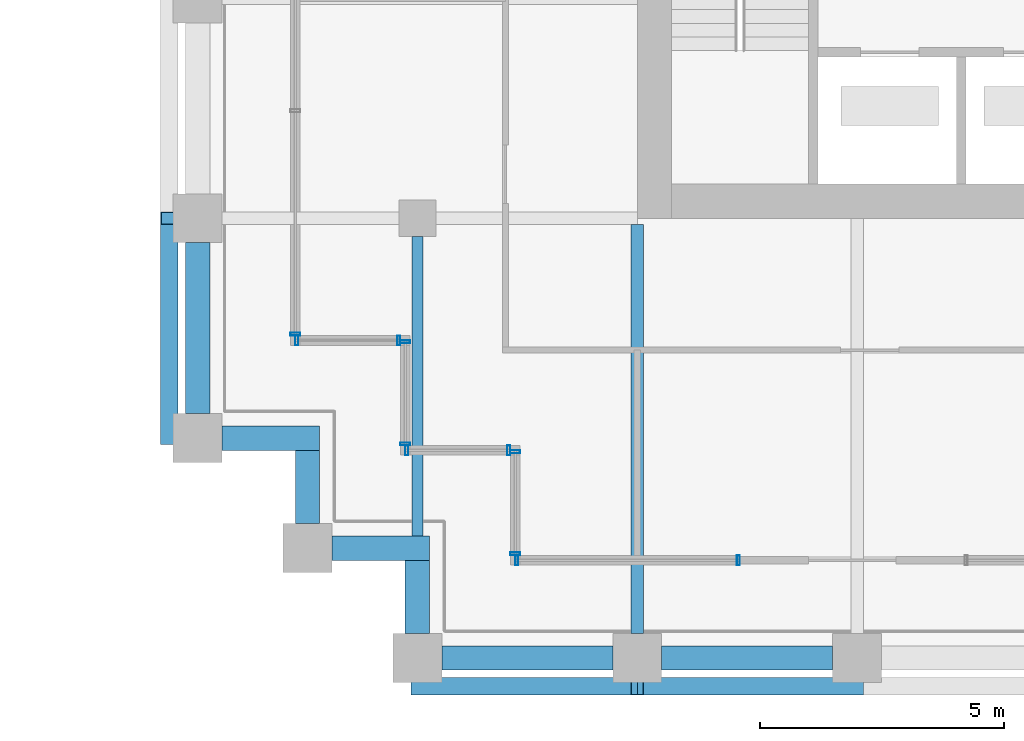
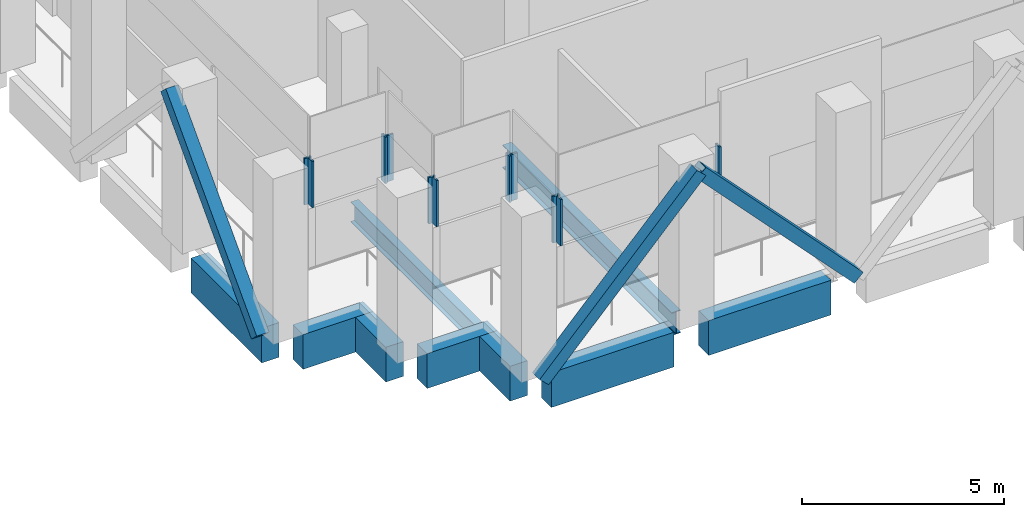
# One storey, part 21 of 48: 14 members, 9 beams, 6 elements without a shape of their own.
"""IFC4 building model written with IfcOpenShell, lengths in metres."""

import ifcopenshell
import ifcopenshell.guid

model = None  # the IFC model being written
_history = None  # IfcOwnerHistory: only IFC2X3 demands one
_inside = {}  # id of a spatial element -> (the spatial element, [elements in it])
_under = {}  # id of a project, library or spatial element -> (it, [spatial elements below it])
_declared = {}  # id of a project -> (the project, [libraries it declares])
_typed = {}  # id of a type object -> (the type object, [elements of that type])
_made_of = {}  # id of a material, layer set ... -> (it, [elements and type objects made of it])


def new_model(schema):
    """Start an empty IFC model of exactly this schema.

    Asked for "IFC4X3", IfcOpenShell would pick the latest addendum, in which some entities
    have other attributes; the version numbers below select the first issue.
    IFC2X3 requires an IfcOwnerHistory on every rooted entity: one is made here for all.
    """
    global model, _history
    if schema == "IFC4X3":
        model = ifcopenshell.file(schema_version=(4, 3, 0, 0))
    else:
        model = ifcopenshell.file(schema=schema)
    _inside.clear()
    _under.clear()
    _declared.clear()
    _typed.clear()
    _made_of.clear()
    _history = None
    if model.schema == "IFC2X3":
        org = make("IfcOrganization", Name="unknown")
        user = make(
            "IfcPersonAndOrganization",
            ThePerson=make("IfcPerson", FamilyName="unknown"),
            TheOrganization=org,
        )
        app = make(
            "IfcApplication",
            ApplicationDeveloper=org,
            Version="unknown",
            ApplicationFullName="unknown",
            ApplicationIdentifier="unknown",
        )
        _history = make(
            "IfcOwnerHistory",
            OwningUser=user,
            OwningApplication=app,
            ChangeAction="ADDED",
            CreationDate=0,
        )
    return model


def make(cls, **values):
    """One entity of the class cls with the attributes given. An attribute that is None is left unset."""
    return model.create_entity(
        cls, **{name: value for name, value in values.items() if value is not None}
    )


def rooted(cls, **values):
    """An entity with a GlobalId (a new one), such as an element, a storey or a relation."""
    return make(cls, GlobalId=ifcopenshell.guid.new(), OwnerHistory=_history, **values)


def si_unit(unit_type, name, prefix=None):
    """IfcSIUnit, for example si_unit("LENGTHUNIT", "METRE", prefix="MILLI")."""
    return make("IfcSIUnit", UnitType=unit_type, Prefix=prefix, Name=name)


def assignment(units):
    """IfcUnitAssignment: the units of a project."""
    return None if units is None else make("IfcUnitAssignment", Units=units)


def point(xyz):
    """IfcCartesianPoint."""
    return None if xyz is None else make("IfcCartesianPoint", Coordinates=xyz)


def direction(xyz):
    """IfcDirection."""
    return None if xyz is None else make("IfcDirection", DirectionRatios=xyz)


def frame(location, z_axis=None, x_axis=None):
    """IfcAxis2Placement3D, a coordinate frame: its origin and axes. An axis left out is left unset."""
    return make(
        "IfcAxis2Placement3D",
        Location=point(location),
        Axis=direction(z_axis),
        RefDirection=direction(x_axis),
    )


def frame_2d(location, x_axis=None):
    """IfcAxis2Placement2D, a coordinate frame in the plane: its origin and x axis."""
    return make(
        "IfcAxis2Placement2D", Location=point(location), RefDirection=direction(x_axis)
    )


def origin():
    """The frame at (0, 0, 0) with its axes left unset."""
    return frame((0.0, 0.0, 0.0))


def origin_2d():
    """The frame at (0, 0) in the plane with its x axis left unset."""
    return frame_2d((0.0, 0.0))


def place(relative_to, where):
    """IfcLocalPlacement: puts the frame where relative to a parent placement (None: the world)."""
    return make(
        "IfcLocalPlacement", PlacementRelTo=relative_to, RelativePlacement=where
    )


def context(
    kind, dimensions, precision=None, world=None, true_north=None, identifier=None
):
    """IfcGeometricRepresentationContext, for example the 3D "Model" context."""
    return make(
        "IfcGeometricRepresentationContext",
        ContextIdentifier=identifier,
        ContextType=kind,
        CoordinateSpaceDimension=dimensions,
        Precision=precision,
        WorldCoordinateSystem=world,
        TrueNorth=true_north,
    )


def subcontext(parent, identifier, kind, view, scale=None):
    """IfcGeometricRepresentationSubContext, for example "Body" below "Model"."""
    return make(
        "IfcGeometricRepresentationSubContext",
        ContextIdentifier=identifier,
        ContextType=kind,
        ParentContext=parent,
        TargetScale=scale,
        TargetView=view,
    )


def project(units=None, contexts=None):
    """IfcProject with its units and contexts."""
    return rooted(
        "IfcProject",
        Name="project",
        RepresentationContexts=contexts,
        UnitsInContext=assignment(units),
    )


def spatial(cls, under=None, at=None, **own):
    """A site, building, storey or space (cls), placed at a placement, below another one or the project."""
    s = rooted(cls, ObjectPlacement=at, **own)
    if under is not None:
        _under.setdefault(under.id(), (under, []))[1].append(s)
    return s


def profile(cls, at=None, kind="AREA", **sizes):
    """A parametric profile (cls). Its sizes go by their IFC names, for example OverallWidth=200.0."""
    return make(cls, ProfileType=kind, Position=at, **sizes)


def rectangle(**sizes):
    """IfcRectangleProfileDef."""
    return profile("IfcRectangleProfileDef", **sizes)


def hollow_rectangle(**sizes):
    """IfcRectangleHollowProfileDef."""
    return profile("IfcRectangleHollowProfileDef", **sizes)


def i_section(**sizes):
    """IfcIShapeProfileDef."""
    return profile("IfcIShapeProfileDef", **sizes)


def extrude(swept, where, along, depth):
    """IfcExtrudedAreaSolid: the profile swept, set in the frame where, extruded along a direction by depth."""
    return make(
        "IfcExtrudedAreaSolid",
        SweptArea=swept,
        Position=where,
        ExtrudedDirection=direction(along),
        Depth=depth,
    )


def shape(context_of_items, identifier, shape_type, items):
    """IfcShapeRepresentation: the items that make up one representation, for example the "Body"."""
    return make(
        "IfcShapeRepresentation",
        ContextOfItems=context_of_items,
        RepresentationIdentifier=identifier,
        RepresentationType=shape_type,
        Items=items,
    )


def material(Name=None, Category=None):
    """IfcMaterial."""
    return make("IfcMaterial", Name=Name, Category=Category)


def material_profile(
    of_material, cross_section, Name=None, Category=None, Priority=None
):
    """IfcMaterialProfile: a cross section and its material."""
    return make(
        "IfcMaterialProfile",
        Name=Name,
        Material=of_material,
        Profile=cross_section,
        Priority=Priority,
        Category=Category,
    )


def profile_set(profiles, Name=None, composite=None):
    """IfcMaterialProfileSet."""
    return make(
        "IfcMaterialProfileSet",
        Name=Name,
        MaterialProfiles=profiles,
        CompositeProfile=composite,
    )


def made_of(thing, what):
    """Note that an element or type object is made of a material, layer set ...; save() writes the relation."""
    if what is not None:
        _made_of.setdefault(what.id(), (what, []))[1].append(thing)
    return thing


def type_object(cls, material=None, **own):
    """A type object (cls), such as IfcWallType, which elements share."""
    return made_of(rooted(cls, **own), material)


def element(
    cls,
    number,
    at=None,
    inside=None,
    cuts=None,
    type_object=None,
    material=None,
    context=None,
    identifier="Body",
    shape_type=None,
    held_by="IfcProductDefinitionShape",
    body=None,
    shapes=None,
    **own,
):
    """One element of the class cls, such as IfcWall. Its Tag is "e" and its number.

    at: its placement. inside: the storey or other place that contains it. cuts: it is an
    opening in that element (IfcRelVoidsElement). A single representation is given by context,
    identifier, shape_type and body (its items); several are given by shapes. held_by: the class
    of the entity that holds the representations. save() writes the other relations.
    """
    e = rooted(cls, Tag="e%d" % number, ObjectPlacement=at, **own)
    if body is not None:
        shapes = [shape(context, identifier, shape_type, body)]
    if shapes is not None:
        e.Representation = make(held_by, Representations=shapes)
    if inside is not None:
        _inside.setdefault(inside.id(), (inside, []))[1].append(e)
    if cuts is not None:
        rooted(
            "IfcRelVoidsElement", RelatingBuildingElement=cuts, RelatedOpeningElement=e
        )
    if type_object is not None:
        _typed.setdefault(type_object.id(), (type_object, []))[1].append(e)
    return made_of(e, material)


def aggregate(whole, parts):
    """IfcRelAggregates: a whole, such as a stair, and the parts it consists of."""
    return rooted("IfcRelAggregates", RelatingObject=whole, RelatedObjects=parts)


def save(model, path):
    """Write the relations noted so far, then the file.

    IfcRelAggregates (storeys below a building ...), IfcRelContainedInSpatialStructure (elements
    in a storey), IfcRelDefinesByType, IfcRelAssociatesMaterial and IfcRelDeclares: one each for
    every whole, place, type object, material and project.
    """
    for whole, parts in _under.values():
        aggregate(whole, parts)
    for where, things in _inside.values():
        rooted(
            "IfcRelContainedInSpatialStructure",
            RelatedElements=things,
            RelatingStructure=where,
        )
    for kind, things in _typed.values():
        rooted("IfcRelDefinesByType", RelatedObjects=things, RelatingType=kind)
    for what, things in _made_of.values():
        rooted("IfcRelAssociatesMaterial", RelatedObjects=things, RelatingMaterial=what)
    for by, libraries in _declared.values():
        rooted("IfcRelDeclares", RelatingContext=by, RelatedDefinitions=libraries)
    model.write(path)


model = new_model("IFC4")

# Units and contexts
model_context = context("Model", 3, precision=1e-05, world=origin(), true_north=direction((0.0, 1.0)))
body_context = subcontext(model_context, "Body", "Model", "MODEL_VIEW")
ifc_project = project(units=[si_unit("LENGTHUNIT", "METRE"), si_unit("AREAUNIT", "SQUARE_METRE"), si_unit("VOLUMEUNIT", "CUBIC_METRE"), si_unit("PLANEANGLEUNIT", "RADIAN"), si_unit("MASSUNIT", "GRAM", prefix="KILO")], contexts=[model_context])

# Site, building, storey
site_placement = place(None, origin())
site = spatial("IfcSite", under=ifc_project, at=site_placement, CompositionType="ELEMENT")
building_placement = place(site_placement, origin())
building = spatial("IfcBuilding", under=site, at=building_placement, Name="Altepetl Exchange Towers", CompositionType="ELEMENT")
storey_placement = place(building_placement, frame((0.0, 0.0, 138.800048828125)))
storey = spatial("IfcBuildingStorey", under=building, at=storey_placement, Name="L34 Refuge and sky lobby", CompositionType="ELEMENT", Elevation=138.800048828125)

# Members
ifc_material_1 = material(Name="Steel S355", Category="steel")
ifc_material_profile_1 = material_profile(ifc_material_1, hollow_rectangle(XDim=0.35595703125, YDim=0.35595703125, WallThickness=0.014892578125, at=origin_2d()), Name="HSS356X356X15.9")
ifc_profile_set_1 = profile_set([ifc_material_profile_1], Name="Steel S355")
member_type_1 = type_object("IfcMemberType", Name="Belt diagonal HSS356X356X15.9", PredefinedType="BRACE", material=ifc_profile_set_1)
for number, where, z_axis, x_axis, name in (
    (1, (99.0, 26.419921875, 0.0), (0.687744647911, 0.0, 0.725952683906), (0.0, 1.0, 0.0), "brc:B:L34:000"),
    (2, (103.5, 26.419921875, 4.75), (0.687744647911, 0.0, -0.725952683906), (0.0, 1.0, 0.0), "brc:B:L34:001"),
    (3, (93.919921875, 36.0, 4.75), (0.0, -0.687744647911, -0.725952683906), (1.0, 0.0, 0.0), "brc:B:L34:013"),
):
    element("IfcMember", number, at=place(storey_placement, frame(where, z_axis=z_axis, x_axis=x_axis)), inside=storey, type_object=member_type_1, Name=name, PredefinedType="BRACE", context=body_context, shape_type="SweptSolid", body=[
        extrude(hollow_rectangle(XDim=0.35595703125, YDim=0.35595703125, WallThickness=0.014892578125, at=origin_2d()), origin(), (0.0, 0.0, 1.0), 6.543212890625),
    ])

# Beams
ifc_material_profile_2 = material_profile(ifc_material_1, i_section(OverallWidth=0.22802734375, OverallDepth=0.60791015625, WebThickness=0.01123046875, FlangeThickness=0.017333984375, at=origin_2d()), Name="W24X76")
ifc_profile_set_2 = profile_set([ifc_material_profile_2], Name="Steel S355")
beam_type_1 = type_object("IfcBeamType", Name="Floor beam W24X76", PredefinedType="BEAM", material=ifc_profile_set_2)
beam_1_placement = place(storey_placement, frame((99.0, 29.5, -0.504150390625), z_axis=(0.0, 1.0, 0.0), x_axis=(-1.0, 0.0, 0.0)))
element("IfcBeam", 4, at=beam_1_placement, inside=storey, type_object=beam_type_1, Name="bm:B:L34:004", PredefinedType="BEAM", context=body_context, shape_type="SweptSolid", body=[
    extrude(i_section(OverallWidth=0.22802734375, OverallDepth=0.60791015625, WebThickness=0.01123046875, FlangeThickness=0.017333984375, at=origin_2d()), origin(), (0.0, 0.0, 1.0), 6.125),
])
ifc_material_profile_3 = material_profile(ifc_material_1, i_section(OverallWidth=0.25390625, OverallDepth=0.68798828125, WebThickness=0.01318359375, FlangeThickness=0.02099609375, at=origin_2d()), Name="W27X102")
ifc_profile_set_3 = profile_set([ifc_material_profile_3], Name="Steel S355")
beam_type_2 = type_object("IfcBeamType", Name="Floor beam W27X102", PredefinedType="BEAM", material=ifc_profile_set_3)
beam_2_placement = place(storey_placement, frame((103.5, 27.5, -0.5439453125), z_axis=(0.0, 1.0, 0.0), x_axis=(-1.0, 0.0, 0.0)))
element("IfcBeam", 5, at=beam_2_placement, inside=storey, type_object=beam_type_2, Name="bm:B:L34:005", PredefinedType="BEAM", context=body_context, shape_type="SweptSolid", body=[
    extrude(i_section(OverallWidth=0.25390625, OverallDepth=0.68798828125, WebThickness=0.01318359375, FlangeThickness=0.02099609375, at=origin_2d()), origin(), (0.0, 0.0, 1.0), 8.3720703125),
])

# Curtain wall, member
ifc_material_2 = material(Name="Aluminium 6063-T6 glazing", Category="aluminium")
curtain_wall_type = type_object("IfcCurtainWallType", Name="Refuge slit glazing system", PredefinedType="NOTDEFINED", material=ifc_material_2)
curtain_wall_1_placement = place(storey_placement, origin())
curtain_wall_1 = element("IfcCurtainWall", 6, at=curtain_wall_1_placement, inside=storey, type_object=curtain_wall_type, Name="CW3 run", PredefinedType="NOTDEFINED")
ifc_material_3 = material(Name="Aluminium 6063-T6", Category="aluminium")
ifc_material_profile_4 = material_profile(ifc_material_3, hollow_rectangle(XDim=0.06005859375, YDim=0.199951171875, WallThickness=0.0029296875, at=origin_2d()), Name="Mullion 60x200 aluminium")
ifc_profile_set_4 = profile_set([ifc_material_profile_4], Name="Aluminium 6063-T6")
member_type_2 = type_object("IfcMemberType", Name="Mullion 60x200 aluminium", PredefinedType="MULLION", material=ifc_profile_set_4)
member_1_placement = place(storey_placement, frame((96.5, 33.6298828125, 1.800048828125), z_axis=(0.0, 0.0, 1.0), x_axis=(0.0, -1.0, 0.0)))
member_1 = element("IfcMember", 7, at=member_1_placement, type_object=member_type_2, Name="MU2 mullion", PredefinedType="MULLION", context=body_context, shape_type="SweptSolid", body=[
    extrude(hollow_rectangle(XDim=0.06005859375, YDim=0.199951171875, WallThickness=0.0029296875, at=origin_2d()), origin(), (0.0, 0.0, 1.0), 1.39990234375),
])
aggregate(curtain_wall_1, [member_1])

# Curtain wall, members
curtain_wall_2_placement = place(storey_placement, origin())
curtain_wall_2 = element("IfcCurtainWall", 8, at=curtain_wall_2_placement, inside=storey, type_object=curtain_wall_type, Name="CW3 run", PredefinedType="NOTDEFINED")
member_2_placement = place(storey_placement, frame((96.530029296875, 33.5, 1.800048828125)))
member_2 = element("IfcMember", 9, at=member_2_placement, type_object=member_type_2, Name="MU2 mullion", PredefinedType="MULLION", context=body_context, shape_type="SweptSolid", body=[
    extrude(hollow_rectangle(XDim=0.06005859375, YDim=0.199951171875, WallThickness=0.0029296875, at=origin_2d()), origin(), (0.0, 0.0, 1.0), 1.39990234375),
])
member_3_placement = place(storey_placement, frame((98.6201171875, 33.5, 1.800048828125)))
member_3 = element("IfcMember", 10, at=member_3_placement, type_object=member_type_2, Name="MU2 mullion", PredefinedType="MULLION", context=body_context, shape_type="SweptSolid", body=[
    extrude(hollow_rectangle(XDim=0.06005859375, YDim=0.199951171875, WallThickness=0.0029296875, at=origin_2d()), origin(), (0.0, 0.0, 1.0), 1.39990234375),
])
aggregate(curtain_wall_2, [member_2, member_3])

curtain_wall_3_placement = place(storey_placement, origin())
curtain_wall_3 = element("IfcCurtainWall", 11, at=curtain_wall_3_placement, inside=storey, type_object=curtain_wall_type, Name="CW3 run", PredefinedType="NOTDEFINED")
member_4_placement = place(storey_placement, frame((98.75, 33.469970703125, 1.800048828125), z_axis=(0.0, 0.0, 1.0), x_axis=(0.0, -1.0, 0.0)))
member_4 = element("IfcMember", 12, at=member_4_placement, type_object=member_type_2, Name="MU2 mullion", PredefinedType="MULLION", context=body_context, shape_type="SweptSolid", body=[
    extrude(hollow_rectangle(XDim=0.06005859375, YDim=0.199951171875, WallThickness=0.0029296875, at=origin_2d()), origin(), (0.0, 0.0, 1.0), 1.39990234375),
])
member_5_placement = place(storey_placement, frame((98.75, 31.3798828125, 1.800048828125), z_axis=(0.0, 0.0, 1.0), x_axis=(0.0, -1.0, 0.0)))
member_5 = element("IfcMember", 13, at=member_5_placement, type_object=member_type_2, Name="MU2 mullion", PredefinedType="MULLION", context=body_context, shape_type="SweptSolid", body=[
    extrude(hollow_rectangle(XDim=0.06005859375, YDim=0.199951171875, WallThickness=0.0029296875, at=origin_2d()), origin(), (0.0, 0.0, 1.0), 1.39990234375),
])
aggregate(curtain_wall_3, [member_4, member_5])

curtain_wall_4_placement = place(storey_placement, origin())
curtain_wall_4 = element("IfcCurtainWall", 14, at=curtain_wall_4_placement, inside=storey, type_object=curtain_wall_type, Name="CW3 run", PredefinedType="NOTDEFINED")
member_6_placement = place(storey_placement, frame((98.780029296875, 31.25, 1.800048828125)))
member_6 = element("IfcMember", 15, at=member_6_placement, type_object=member_type_2, Name="MU2 mullion", PredefinedType="MULLION", context=body_context, shape_type="SweptSolid", body=[
    extrude(hollow_rectangle(XDim=0.06005859375, YDim=0.199951171875, WallThickness=0.0029296875, at=origin_2d()), origin(), (0.0, 0.0, 1.0), 1.39990234375),
])
member_7_placement = place(storey_placement, frame((100.8701171875, 31.25, 1.800048828125)))
member_7 = element("IfcMember", 16, at=member_7_placement, type_object=member_type_2, Name="MU2 mullion", PredefinedType="MULLION", context=body_context, shape_type="SweptSolid", body=[
    extrude(hollow_rectangle(XDim=0.06005859375, YDim=0.199951171875, WallThickness=0.0029296875, at=origin_2d()), origin(), (0.0, 0.0, 1.0), 1.39990234375),
])
aggregate(curtain_wall_4, [member_6, member_7])

curtain_wall_5_placement = place(storey_placement, origin())
curtain_wall_5 = element("IfcCurtainWall", 17, at=curtain_wall_5_placement, inside=storey, type_object=curtain_wall_type, Name="CW3 run", PredefinedType="NOTDEFINED")
member_8_placement = place(storey_placement, frame((101.0, 31.219970703125, 1.800048828125), z_axis=(0.0, 0.0, 1.0), x_axis=(0.0, -1.0, 0.0)))
member_8 = element("IfcMember", 18, at=member_8_placement, type_object=member_type_2, Name="MU2 mullion", PredefinedType="MULLION", context=body_context, shape_type="SweptSolid", body=[
    extrude(hollow_rectangle(XDim=0.06005859375, YDim=0.199951171875, WallThickness=0.0029296875, at=origin_2d()), origin(), (0.0, 0.0, 1.0), 1.39990234375),
])
member_9_placement = place(storey_placement, frame((101.0, 29.1298828125, 1.800048828125), z_axis=(0.0, 0.0, 1.0), x_axis=(0.0, -1.0, 0.0)))
member_9 = element("IfcMember", 19, at=member_9_placement, type_object=member_type_2, Name="MU2 mullion", PredefinedType="MULLION", context=body_context, shape_type="SweptSolid", body=[
    extrude(hollow_rectangle(XDim=0.06005859375, YDim=0.199951171875, WallThickness=0.0029296875, at=origin_2d()), origin(), (0.0, 0.0, 1.0), 1.39990234375),
])
aggregate(curtain_wall_5, [member_8, member_9])

curtain_wall_6_placement = place(storey_placement, origin())
curtain_wall_6 = element("IfcCurtainWall", 20, at=curtain_wall_6_placement, inside=storey, type_object=curtain_wall_type, Name="CW3 run", PredefinedType="NOTDEFINED")
member_10_placement = place(storey_placement, frame((101.030029296875, 29.0, 1.800048828125)))
member_10 = element("IfcMember", 21, at=member_10_placement, type_object=member_type_2, Name="MU2 mullion", PredefinedType="MULLION", context=body_context, shape_type="SweptSolid", body=[
    extrude(hollow_rectangle(XDim=0.06005859375, YDim=0.199951171875, WallThickness=0.0029296875, at=origin_2d()), origin(), (0.0, 0.0, 1.0), 1.39990234375),
])
member_11_placement = place(storey_placement, frame((105.570068359375, 29.0, 1.800048828125)))
member_11 = element("IfcMember", 22, at=member_11_placement, type_object=member_type_2, Name="MU2 mullion", PredefinedType="MULLION", context=body_context, shape_type="SweptSolid", body=[
    extrude(hollow_rectangle(XDim=0.06005859375, YDim=0.199951171875, WallThickness=0.0029296875, at=origin_2d()), origin(), (0.0, 0.0, 1.0), 1.39990234375),
])
aggregate(curtain_wall_6, [member_10, member_11])

# Beams
ifc_material_4 = material(Name="Concrete C50/60 precast with tezontle facing", Category="concrete")
ifc_material_profile_5 = material_profile(ifc_material_4, rectangle(XDim=0.5, YDim=1.050048828125, at=origin_2d()), Name="500 x 1050")
ifc_profile_set_5 = profile_set([ifc_material_profile_5], Name="Concrete C50/60 precast with tezontle facing")
beam_type_3 = type_object("IfcBeamType", Name="Spandrel beam 500x1050 tezontle", PredefinedType="SPANDREL", material=ifc_profile_set_5)
for number, where, z_axis, x_axis, name in (
    (23, (99.5, 27.0, -0.72509765625), (1.0, 0.0, 0.0), (0.0, 1.0, 0.0), "sp:B:L34:000"),
    (24, (104.0, 27.0, -0.72509765625), (1.0, 0.0, 0.0), (0.0, 1.0, 0.0), "sp:B:L34:001"),
    (25, (94.5, 35.5, -0.72509765625), (0.0, -1.0, 0.0), (1.0, 0.0, 0.0), "sp:B:L34:026"),
):
    element("IfcBeam", number, at=place(storey_placement, frame(where, z_axis=z_axis, x_axis=x_axis)), inside=storey, type_object=beam_type_3, Name=name, PredefinedType="SPANDREL", context=body_context, shape_type="SweptSolid", body=[
        extrude(rectangle(XDim=0.5, YDim=1.050048828125, at=origin_2d()), origin(), (0.0, 0.0, 1.0), 3.5),
    ])
beam_3_placement = place(storey_placement, frame((95.0, 31.5, -0.72509765625), z_axis=(1.0, 0.0, 0.0), x_axis=(0.0, 1.0, 0.0)))
element("IfcBeam", 26, at=beam_3_placement, inside=storey, type_object=beam_type_3, Name="sp:B:L34:027", PredefinedType="SPANDREL", context=body_context, shape_type="SweptSolid", body=[
    extrude(rectangle(XDim=0.5, YDim=1.050048828125, at=origin_2d()), origin(), (0.0, 0.0, 1.0), 2.0),
])
beam_4_placement = place(storey_placement, frame((96.75, 31.25, -0.72509765625), z_axis=(0.0, -1.0, 0.0), x_axis=(1.0, 0.0, 0.0)))
element("IfcBeam", 27, at=beam_4_placement, inside=storey, type_object=beam_type_3, Name="sp:B:L34:028", PredefinedType="SPANDREL", context=body_context, shape_type="SweptSolid", body=[
    extrude(rectangle(XDim=0.5, YDim=1.050048828125, at=origin_2d()), origin(), (0.0, 0.0, 1.0), 1.5),
])
beam_5_placement = place(storey_placement, frame((97.25, 29.25, -0.72509765625), z_axis=(1.0, 0.0, 0.0), x_axis=(0.0, 1.0, 0.0)))
element("IfcBeam", 28, at=beam_5_placement, inside=storey, type_object=beam_type_3, Name="sp:B:L34:029", PredefinedType="SPANDREL", context=body_context, shape_type="SweptSolid", body=[
    extrude(rectangle(XDim=0.5, YDim=1.050048828125, at=origin_2d()), origin(), (0.0, 0.0, 1.0), 2.0),
])
beam_6_placement = place(storey_placement, frame((99.0, 29.0, -0.72509765625), z_axis=(0.0, -1.0, 0.0), x_axis=(1.0, 0.0, 0.0)))
element("IfcBeam", 29, at=beam_6_placement, inside=storey, type_object=beam_type_3, Name="sp:B:L34:030", PredefinedType="SPANDREL", context=body_context, shape_type="SweptSolid", body=[
    extrude(rectangle(XDim=0.5, YDim=1.050048828125, at=origin_2d()), origin(), (0.0, 0.0, 1.0), 1.5),
])

save(model, "model.ifc")
